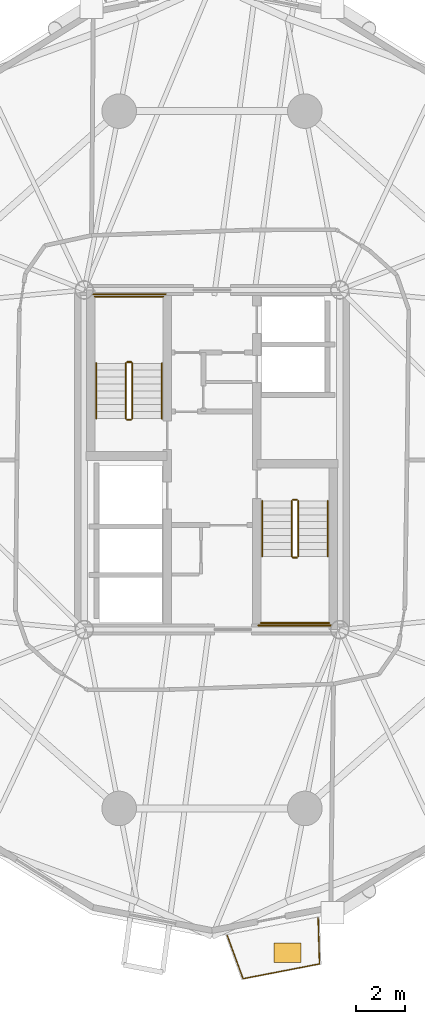
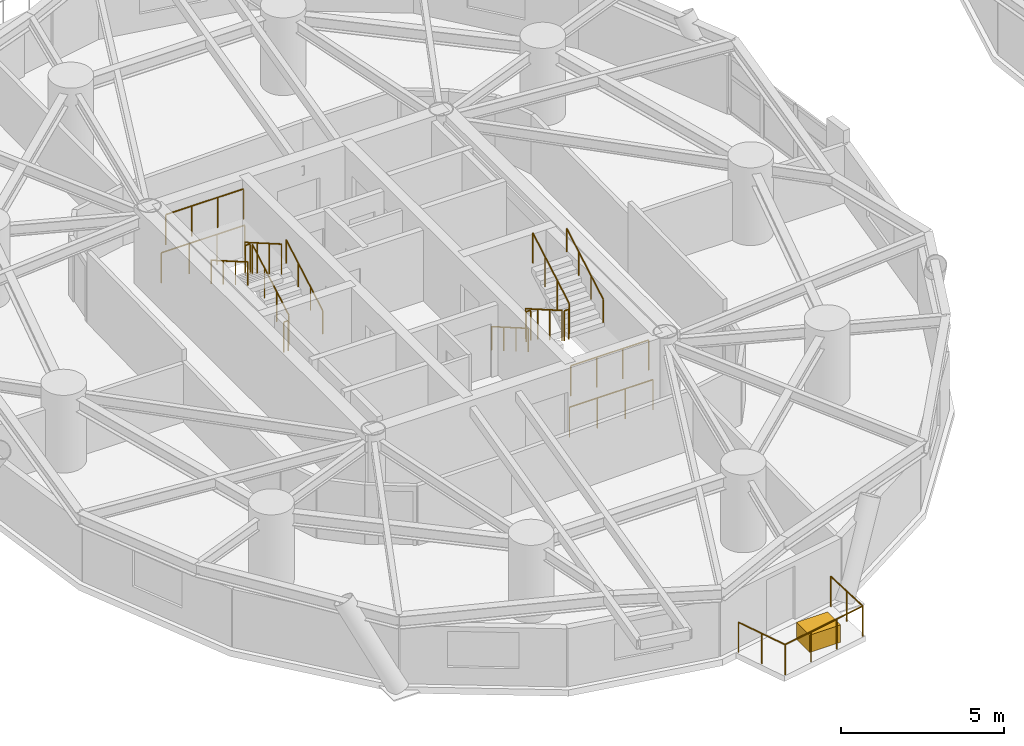
# One storey, part 16 of 18: 17 railings, 1 covering.
"""IFC4 building model written with IfcOpenShell, lengths in metres."""

from ifc_helpers import new_model, si_unit, direction, frame, origin, origin_2d, place, context, subcontext, project, spatial, rectangle, circle, extrude, source, transform, mapped, material, layer, layer_set, type_object, element, save


model = new_model("IFC4")

# Units and contexts
model_context = context("Model", 3, precision=1e-05, world=origin(), true_north=direction((0.0, 1.0)))
body_context = subcontext(model_context, "Body", "Model", "MODEL_VIEW")
ifc_project = project(units=[si_unit("LENGTHUNIT", "METRE"), si_unit("AREAUNIT", "SQUARE_METRE"), si_unit("VOLUMEUNIT", "CUBIC_METRE"), si_unit("PLANEANGLEUNIT", "RADIAN"), si_unit("MASSUNIT", "GRAM", prefix="KILO")], contexts=[model_context])

# Site, building, storey
site_placement = place(None, origin())
site = spatial("IfcSite", under=ifc_project, at=site_placement, CompositionType="ELEMENT")
building_placement = place(site_placement, origin())
building = spatial("IfcBuilding", under=site, at=building_placement, Name="Cununo Teusaquillo Station Towers", CompositionType="ELEMENT")
storey_placement = place(building_placement, frame((0.0, 0.0, 75.969970703125)))
storey = spatial("IfcBuildingStorey", under=building, at=storey_placement, Name="L23", CompositionType="ELEMENT", Elevation=75.969970703125)

# Railings
ifc_material_1 = material(Name="Anodised dark bronze aluminium EN AW-6063-T6", Category="aluminium")
railing_type_1 = type_object("IfcRailingType", Name="RL-EXT-GUARD", PredefinedType="GUARDRAIL", material=ifc_material_1)
railing_1_placement = place(storey_placement, frame((20.79833984375, 5.939453125, 0.0)))
element("IfcRailing", 1, at=railing_1_placement, inside=storey, type_object=railing_type_1, Name="L23 Tower A Balcony Guardrail C15", PredefinedType="GUARDRAIL", context=body_context, shape_type="SweptSolid", body=[
    extrude(circle(Radius=0.02392578125, at=origin_2d()), frame((0.0, 0.0, 1.1259765625), z_axis=(0.030662031384, -0.999529809376, 0.0), x_axis=(0.999529809376, 0.030662031384, 0.0)), (0.0, 0.0, 1.0), 1.86328125),
    extrude(circle(Radius=0.02392578125, at=origin_2d()), frame((0.05712890625, -1.8623046875, 1.1259765625), z_axis=(-0.981834317938, -0.189740275429, 0.0), x_axis=(0.189740275429, -0.981834317938, 0.0)), (0.0, 0.0, 1.0), 3.15380859375),
    extrude(circle(Radius=0.02392578125, at=origin_2d()), frame((-3.039306640625, -2.460693359375, 1.1259765625), z_axis=(-0.343962021681, 0.9389835609, 0.0), x_axis=(-0.9389835609, -0.343962021681, 0.0)), (0.0, 0.0, 1.0), 1.86328125),
    extrude(circle(Radius=0.02099609375, at=origin_2d()), origin(), (0.0, 0.0, 1.0), 1.101806640625),
    extrude(circle(Radius=0.02099609375, at=origin_2d()), frame((0.028564453125, -0.93115234375, 0.0)), (0.0, 0.0, 1.0), 1.101806640625),
    extrude(circle(Radius=0.02099609375, at=origin_2d()), frame((0.05712890625, -1.8623046875, 0.0)), (0.0, 0.0, 1.0), 1.101806640625),
    extrude(circle(Radius=0.02099609375, at=origin_2d()), frame((-0.97509765625, -2.061767578125, 0.0)), (0.0, 0.0, 1.0), 1.101806640625),
    extrude(circle(Radius=0.02099609375, at=origin_2d()), frame((-2.007080078125, -2.26123046875, 0.0)), (0.0, 0.0, 1.0), 1.101806640625),
    extrude(circle(Radius=0.02099609375, at=origin_2d()), frame((-3.039306640625, -2.460693359375, 0.0)), (0.0, 0.0, 1.0), 1.101806640625),
    extrude(circle(Radius=0.02099609375, at=origin_2d()), frame((-3.35986328125, -1.5859375, 0.0)), (0.0, 0.0, 1.0), 1.101806640625),
    extrude(circle(Radius=0.02099609375, at=origin_2d()), frame((-3.68017578125, -0.711181640625, 0.0)), (0.0, 0.0, 1.0), 1.101806640625),
])
ifc_material_2 = material(Name="Steel EN 10025-2 S355J2", Category="steel")
railing_type_2 = type_object("IfcRailingType", Name="RL-INT-GUARD", PredefinedType="GUARDRAIL", material=ifc_material_2)
railing_2_placement = place(storey_placement, frame((13.27001953125, 26.169921875, 0.16162109375)))
element("IfcRailing", 2, at=railing_2_placement, inside=storey, type_object=railing_type_2, Name="L23 ST-T1-1 stair guard 1", PredefinedType="GUARDRAIL", context=body_context, shape_type="SweptSolid", body=[
    extrude(circle(Radius=0.02392578125, at=origin_2d()), frame((0.0, 0.0, 1.1259765625), z_axis=(0.0, 0.865992244559, 0.500057429065), x_axis=(-1.0, 0.0, 0.0)), (0.0, 0.0, 1.0), 2.586669921875),
    extrude(circle(Radius=0.02099609375, at=origin_2d()), origin(), (0.0, 0.0, 1.0), 1.101806640625),
    extrude(circle(Radius=0.02099609375, at=origin_2d()), frame((0.0, 0.74658203125, 0.43115234375)), (0.0, 0.0, 1.0), 1.101806640625),
    extrude(circle(Radius=0.02099609375, at=origin_2d()), frame((0.0, 1.493408203125, 0.8623046875)), (0.0, 0.0, 1.0), 1.101806640625),
    extrude(circle(Radius=0.02099609375, at=origin_2d()), frame((0.0, 2.239990234375, 1.29345703125)), (0.0, 0.0, 1.0), 1.101806640625),
])
railing_3_placement = place(storey_placement, frame((13.219970703125, 28.4599609375, 1.455078125)))
element("IfcRailing", 3, at=railing_3_placement, inside=storey, type_object=railing_type_2, Name="L23 ST-T1-1 stair guard 2", PredefinedType="GUARDRAIL", context=body_context, shape_type="SweptSolid", body=[
    extrude(circle(Radius=0.02392578125, at=origin_2d()), frame((0.0, 0.0, 1.1259765625), z_axis=(-1.0, 0.0, 0.0), x_axis=(0.0, -1.0, 0.0)), (0.0, 0.0, 1.0), 0.159912109375),
    extrude(circle(Radius=0.02099609375, at=origin_2d()), origin(), (0.0, 0.0, 1.0), 1.101806640625),
    extrude(circle(Radius=0.02099609375, at=origin_2d()), frame((-0.159912109375, 0.0, 0.0)), (0.0, 0.0, 1.0), 1.101806640625),
])
railing_4_placement = place(storey_placement, frame((14.52001953125, 31.110107421875, 1.455078125)))
element("IfcRailing", 4, at=railing_4_placement, inside=storey, type_object=railing_type_2, Name="L23 ST-T1-1 stair guard 3", PredefinedType="GUARDRAIL", context=body_context, shape_type="SweptSolid", body=[
    extrude(circle(Radius=0.02392578125, at=origin_2d()), frame((0.0, 0.0, 1.1259765625), z_axis=(-1.0, 0.0, 0.0), x_axis=(0.0, -1.0, 0.0)), (0.0, 0.0, 1.0), 2.760009765625),
    extrude(circle(Radius=0.02099609375, at=origin_2d()), origin(), (0.0, 0.0, 1.0), 1.101806640625),
    extrude(circle(Radius=0.02099609375, at=origin_2d()), frame((-0.919921875, 0.0, 0.0)), (0.0, 0.0, 1.0), 1.101806640625),
    extrude(circle(Radius=0.02099609375, at=origin_2d()), frame((-1.840087890625, 0.0, 0.0)), (0.0, 0.0, 1.0), 1.101806640625),
    extrude(circle(Radius=0.02099609375, at=origin_2d()), frame((-2.760009765625, 0.0, 0.0)), (0.0, 0.0, 1.0), 1.101806640625),
])
railing_5_placement = place(storey_placement, frame((13.010009765625, 28.409912109375, 1.61669921875)))
element("IfcRailing", 5, at=railing_5_placement, inside=storey, type_object=railing_type_2, Name="L23 ST-T1-1 stair guard 4", PredefinedType="GUARDRAIL", context=body_context, shape_type="SweptSolid", body=[
    extrude(circle(Radius=0.02392578125, at=origin_2d()), frame((0.0, 0.0, 1.1259765625), z_axis=(0.0, -0.866033117094, 0.499986639918), x_axis=(1.0, 0.0, 0.0)), (0.0, 0.0, 1.0), 2.58642578125),
    extrude(circle(Radius=0.02099609375, at=origin_2d()), origin(), (0.0, 0.0, 1.0), 1.101806640625),
    extrude(circle(Radius=0.02099609375, at=origin_2d()), frame((0.0, -0.74658203125, 0.43115234375)), (0.0, 0.0, 1.0), 1.101806640625),
    extrude(circle(Radius=0.02099609375, at=origin_2d()), frame((0.0, -1.493408203125, 0.862060546875)), (0.0, 0.0, 1.0), 1.101806640625),
    extrude(circle(Radius=0.02099609375, at=origin_2d()), frame((0.0, -2.239990234375, 1.293212890625)), (0.0, 0.0, 1.0), 1.101806640625),
])
railing_6_placement = place(storey_placement, frame((13.219970703125, 26.1201171875, 0.0)))
element("IfcRailing", 6, at=railing_6_placement, inside=storey, type_object=railing_type_2, Name="L23 ST-T1-1 stair guard 5", PredefinedType="GUARDRAIL", context=body_context, shape_type="SweptSolid", body=[
    extrude(circle(Radius=0.02392578125, at=origin_2d()), frame((0.0, 0.0, 1.1259765625), z_axis=(-1.0, 0.0, 0.0), x_axis=(0.0, -1.0, 0.0)), (0.0, 0.0, 1.0), 0.159912109375),
    extrude(circle(Radius=0.02099609375, at=origin_2d()), origin(), (0.0, 0.0, 1.0), 1.101806640625),
    extrude(circle(Radius=0.02099609375, at=origin_2d()), frame((-0.159912109375, 0.0, 0.0)), (0.0, 0.0, 1.0), 1.101806640625),
])
railing_7_placement = place(storey_placement, frame((14.6201171875, 31.2099609375, 0.0)))
element("IfcRailing", 7, at=railing_7_placement, inside=storey, type_object=railing_type_2, Name="L23 ST-T1-1 stair guard 6", PredefinedType="GUARDRAIL", context=body_context, shape_type="SweptSolid", body=[
    extrude(circle(Radius=0.02392578125, at=origin_2d()), frame((0.0, 0.0, 1.1259765625), z_axis=(-1.0, 0.0, 0.0), x_axis=(0.0, -1.0, 0.0)), (0.0, 0.0, 1.0), 2.960205078125),
    extrude(circle(Radius=0.02099609375, at=origin_2d()), origin(), (0.0, 0.0, 1.0), 1.101806640625),
    extrude(circle(Radius=0.02099609375, at=origin_2d()), frame((-0.98681640625, 0.0, 0.0)), (0.0, 0.0, 1.0), 1.101806640625),
    extrude(circle(Radius=0.02099609375, at=origin_2d()), frame((-1.973388671875, 0.0, 0.0)), (0.0, 0.0, 1.0), 1.101806640625),
    extrude(circle(Radius=0.02099609375, at=origin_2d()), frame((-2.960205078125, 0.0, 0.0)), (0.0, 0.0, 1.0), 1.101806640625),
])
railing_8_placement = place(storey_placement, frame((19.72998046875, 22.830078125, 0.16162109375)))
element("IfcRailing", 8, at=railing_8_placement, inside=storey, type_object=railing_type_2, Name="L23 ST-T1-2 stair guard 1", PredefinedType="GUARDRAIL", context=body_context, shape_type="SweptSolid", body=[
    extrude(circle(Radius=0.02392578125, at=origin_2d()), frame((0.0, 0.0, 1.1259765625), z_axis=(0.0, -0.865992244559, 0.500057429065), x_axis=(1.0, 0.0, 0.0)), (0.0, 0.0, 1.0), 2.586669921875),
    extrude(circle(Radius=0.02099609375, at=origin_2d()), origin(), (0.0, 0.0, 1.0), 1.101806640625),
    extrude(circle(Radius=0.02099609375, at=origin_2d()), frame((0.0, -0.74658203125, 0.43115234375)), (0.0, 0.0, 1.0), 1.101806640625),
    extrude(circle(Radius=0.02099609375, at=origin_2d()), frame((0.0, -1.493408203125, 0.8623046875)), (0.0, 0.0, 1.0), 1.101806640625),
    extrude(circle(Radius=0.02099609375, at=origin_2d()), frame((0.0, -2.239990234375, 1.29345703125)), (0.0, 0.0, 1.0), 1.101806640625),
])
railing_9_placement = place(storey_placement, frame((19.780029296875, 20.5400390625, 1.455078125)))
element("IfcRailing", 9, at=railing_9_placement, inside=storey, type_object=railing_type_2, Name="L23 ST-T1-2 stair guard 2", PredefinedType="GUARDRAIL", context=body_context, shape_type="SweptSolid", body=[
    extrude(circle(Radius=0.02392578125, at=origin_2d()), frame((0.0, 0.0, 1.1259765625), z_axis=(1.0, 0.0, 0.0), x_axis=(0.0, 1.0, 0.0)), (0.0, 0.0, 1.0), 0.159912109375),
    extrude(circle(Radius=0.02099609375, at=origin_2d()), origin(), (0.0, 0.0, 1.0), 1.101806640625),
    extrude(circle(Radius=0.02099609375, at=origin_2d()), frame((0.159912109375, 0.0, 0.0)), (0.0, 0.0, 1.0), 1.101806640625),
])
railing_10_placement = place(storey_placement, frame((18.47998046875, 17.889892578125, 1.455078125)))
element("IfcRailing", 10, at=railing_10_placement, inside=storey, type_object=railing_type_2, Name="L23 ST-T1-2 stair guard 3", PredefinedType="GUARDRAIL", context=body_context, shape_type="SweptSolid", body=[
    extrude(circle(Radius=0.02392578125, at=origin_2d()), frame((0.0, 0.0, 1.1259765625), z_axis=(1.0, 0.0, 0.0), x_axis=(0.0, 1.0, 0.0)), (0.0, 0.0, 1.0), 2.760009765625),
    extrude(circle(Radius=0.02099609375, at=origin_2d()), origin(), (0.0, 0.0, 1.0), 1.101806640625),
    extrude(circle(Radius=0.02099609375, at=origin_2d()), frame((0.919921875, 0.0, 0.0)), (0.0, 0.0, 1.0), 1.101806640625),
    extrude(circle(Radius=0.02099609375, at=origin_2d()), frame((1.840087890625, 0.0, 0.0)), (0.0, 0.0, 1.0), 1.101806640625),
    extrude(circle(Radius=0.02099609375, at=origin_2d()), frame((2.760009765625, 0.0, 0.0)), (0.0, 0.0, 1.0), 1.101806640625),
])
railing_11_placement = place(storey_placement, frame((19.989990234375, 20.590087890625, 1.61669921875)))
element("IfcRailing", 11, at=railing_11_placement, inside=storey, type_object=railing_type_2, Name="L23 ST-T1-2 stair guard 4", PredefinedType="GUARDRAIL", context=body_context, shape_type="SweptSolid", body=[
    extrude(circle(Radius=0.02392578125, at=origin_2d()), frame((0.0, 0.0, 1.1259765625), z_axis=(0.0, 0.866033117094, 0.499986639918), x_axis=(-1.0, 0.0, 0.0)), (0.0, 0.0, 1.0), 2.58642578125),
    extrude(circle(Radius=0.02099609375, at=origin_2d()), origin(), (0.0, 0.0, 1.0), 1.101806640625),
    extrude(circle(Radius=0.02099609375, at=origin_2d()), frame((0.0, 0.74658203125, 0.43115234375)), (0.0, 0.0, 1.0), 1.101806640625),
    extrude(circle(Radius=0.02099609375, at=origin_2d()), frame((0.0, 1.493408203125, 0.862060546875)), (0.0, 0.0, 1.0), 1.101806640625),
    extrude(circle(Radius=0.02099609375, at=origin_2d()), frame((0.0, 2.239990234375, 1.293212890625)), (0.0, 0.0, 1.0), 1.101806640625),
])
railing_12_placement = place(storey_placement, frame((19.780029296875, 22.8798828125, 0.0)))
element("IfcRailing", 12, at=railing_12_placement, inside=storey, type_object=railing_type_2, Name="L23 ST-T1-2 stair guard 5", PredefinedType="GUARDRAIL", context=body_context, shape_type="SweptSolid", body=[
    extrude(circle(Radius=0.02392578125, at=origin_2d()), frame((0.0, 0.0, 1.1259765625), z_axis=(1.0, 0.0, 0.0), x_axis=(0.0, 1.0, 0.0)), (0.0, 0.0, 1.0), 0.159912109375),
    extrude(circle(Radius=0.02099609375, at=origin_2d()), origin(), (0.0, 0.0, 1.0), 1.101806640625),
    extrude(circle(Radius=0.02099609375, at=origin_2d()), frame((0.159912109375, 0.0, 0.0)), (0.0, 0.0, 1.0), 1.101806640625),
])
railing_13_placement = place(storey_placement, frame((18.3798828125, 17.7900390625, 0.0)))
element("IfcRailing", 13, at=railing_13_placement, inside=storey, type_object=railing_type_2, Name="L23 ST-T1-2 stair guard 6", PredefinedType="GUARDRAIL", context=body_context, shape_type="SweptSolid", body=[
    extrude(circle(Radius=0.02392578125, at=origin_2d()), frame((0.0, 0.0, 1.1259765625), z_axis=(1.0, 0.0, 0.0), x_axis=(0.0, 1.0, 0.0)), (0.0, 0.0, 1.0), 2.960205078125),
    extrude(circle(Radius=0.02099609375, at=origin_2d()), origin(), (0.0, 0.0, 1.0), 1.101806640625),
    extrude(circle(Radius=0.02099609375, at=origin_2d()), frame((0.98681640625, 0.0, 0.0)), (0.0, 0.0, 1.0), 1.101806640625),
    extrude(circle(Radius=0.02099609375, at=origin_2d()), frame((1.973388671875, 0.0, 0.0)), (0.0, 0.0, 1.0), 1.101806640625),
    extrude(circle(Radius=0.02099609375, at=origin_2d()), frame((2.960205078125, 0.0, 0.0)), (0.0, 0.0, 1.0), 1.101806640625),
])
ifc_material_3 = material(Name="Steel EN 10025-2 S355J2", Category="steel")
railing_type_3 = type_object("IfcRailingType", Name="RL-INT-HRAIL", PredefinedType="HANDRAIL", material=ifc_material_3)
railing_14_placement = place(storey_placement, frame((14.469970703125, 26.169921875, 0.16162109375)))
element("IfcRailing", 14, at=railing_14_placement, inside=storey, type_object=railing_type_3, Name="L23 ST-T1-1 stair handrail 1", PredefinedType="HANDRAIL", context=body_context, shape_type="SweptSolid", body=[
    extrude(circle(Radius=0.02392578125, at=origin_2d()), frame((0.0, 0.0, 0.8759765625), z_axis=(0.0, 0.865992244559, 0.500057429065), x_axis=(-1.0, 0.0, 0.0)), (0.0, 0.0, 1.0), 2.586669921875),
    extrude(circle(Radius=0.02099609375, at=origin_2d()), origin(), (0.0, 0.0, 1.0), 0.851806640625),
    extrude(circle(Radius=0.02099609375, at=origin_2d()), frame((0.0, 0.74658203125, 0.43115234375)), (0.0, 0.0, 1.0), 0.851806640625),
    extrude(circle(Radius=0.02099609375, at=origin_2d()), frame((0.0, 1.493408203125, 0.8623046875)), (0.0, 0.0, 1.0), 0.851806640625),
    extrude(circle(Radius=0.02099609375, at=origin_2d()), frame((0.0, 2.239990234375, 1.29345703125)), (0.0, 0.0, 1.0), 0.851806640625),
])
railing_15_placement = place(storey_placement, frame((11.81005859375, 28.409912109375, 1.61669921875)))
element("IfcRailing", 15, at=railing_15_placement, inside=storey, type_object=railing_type_3, Name="L23 ST-T1-1 stair handrail 2", PredefinedType="HANDRAIL", context=body_context, shape_type="SweptSolid", body=[
    extrude(circle(Radius=0.02392578125, at=origin_2d()), frame((0.0, 0.0, 0.8759765625), z_axis=(0.0, -0.866033117094, 0.499986639918), x_axis=(1.0, 0.0, 0.0)), (0.0, 0.0, 1.0), 2.58642578125),
    extrude(circle(Radius=0.02099609375, at=origin_2d()), origin(), (0.0, 0.0, 1.0), 0.851806640625),
    extrude(circle(Radius=0.02099609375, at=origin_2d()), frame((0.0, -0.74658203125, 0.43115234375)), (0.0, 0.0, 1.0), 0.851806640625),
    extrude(circle(Radius=0.02099609375, at=origin_2d()), frame((0.0, -1.493408203125, 0.862060546875)), (0.0, 0.0, 1.0), 0.851806640625),
    extrude(circle(Radius=0.02099609375, at=origin_2d()), frame((0.0, -2.239990234375, 1.293212890625)), (0.0, 0.0, 1.0), 0.851806640625),
])
railing_16_placement = place(storey_placement, frame((18.530029296875, 22.830078125, 0.16162109375)))
element("IfcRailing", 16, at=railing_16_placement, inside=storey, type_object=railing_type_3, Name="L23 ST-T1-2 stair handrail 1", PredefinedType="HANDRAIL", context=body_context, shape_type="SweptSolid", body=[
    extrude(circle(Radius=0.02392578125, at=origin_2d()), frame((0.0, 0.0, 0.8759765625), z_axis=(0.0, -0.865992244559, 0.500057429065), x_axis=(1.0, 0.0, 0.0)), (0.0, 0.0, 1.0), 2.586669921875),
    extrude(circle(Radius=0.02099609375, at=origin_2d()), origin(), (0.0, 0.0, 1.0), 0.851806640625),
    extrude(circle(Radius=0.02099609375, at=origin_2d()), frame((0.0, -0.74658203125, 0.43115234375)), (0.0, 0.0, 1.0), 0.851806640625),
    extrude(circle(Radius=0.02099609375, at=origin_2d()), frame((0.0, -1.493408203125, 0.8623046875)), (0.0, 0.0, 1.0), 0.851806640625),
    extrude(circle(Radius=0.02099609375, at=origin_2d()), frame((0.0, -2.239990234375, 1.29345703125)), (0.0, 0.0, 1.0), 0.851806640625),
])
railing_17_placement = place(storey_placement, frame((21.18994140625, 20.590087890625, 1.61669921875)))
element("IfcRailing", 17, at=railing_17_placement, inside=storey, type_object=railing_type_3, Name="L23 ST-T1-2 stair handrail 2", PredefinedType="HANDRAIL", context=body_context, shape_type="SweptSolid", body=[
    extrude(circle(Radius=0.02392578125, at=origin_2d()), frame((0.0, 0.0, 0.8759765625), z_axis=(0.0, 0.866033117094, 0.499986639918), x_axis=(-1.0, 0.0, 0.0)), (0.0, 0.0, 1.0), 2.58642578125),
    extrude(circle(Radius=0.02099609375, at=origin_2d()), origin(), (0.0, 0.0, 1.0), 0.851806640625),
    extrude(circle(Radius=0.02099609375, at=origin_2d()), frame((0.0, 0.74658203125, 0.43115234375)), (0.0, 0.0, 1.0), 0.851806640625),
    extrude(circle(Radius=0.02099609375, at=origin_2d()), frame((0.0, 1.493408203125, 0.862060546875)), (0.0, 0.0, 1.0), 0.851806640625),
    extrude(circle(Radius=0.02099609375, at=origin_2d()), frame((0.0, 2.239990234375, 1.293212890625)), (0.0, 0.0, 1.0), 0.851806640625),
])

# Covering
ifc_material_4 = material(Name="Architectural GRC planter shell and engineered root-zone substrate", Category="concrete")
ifc_layer = layer(ifc_material_4, 0.64990234375)
ifc_layer_set = layer_set([ifc_layer], Name="Architectural GRC planter shell and engineered root-zone substrate")
covering_type = type_object("IfcCoveringType", Name="COV-TREE-PLANTER", PredefinedType="CLADDING", material=ifc_layer_set)
shared_shape = source(origin(), body_context, "Body", "SweptSolid", [
    extrude(rectangle(XDim=1.10009765625, YDim=0.800048828125, at=origin_2d()), origin(), (0.0, 0.0, 1.0), 0.64990234375),
])
covering_placement = place(storey_placement, frame((19.5537109375, 4.531494140625, 0.0), z_axis=(0.0, 0.0, 1.0), x_axis=(1.0, 0.0, 0.0)))
element("IfcCovering", 18, at=covering_placement, inside=storey, type_object=covering_type, Name="L23 Tower A Balcony Tree PLANTER C15", PredefinedType="CLADDING", context=body_context, shape_type="MappedRepresentation", body=[
    mapped(shared_shape, transform((0.0, 0.0, 0.0), x_axis=(1.0, 0.0, 0.0), y_axis=(0.0, 1.0, 0.0), z_axis=(0.0, 0.0, 1.0), scale=1.0)),
])

save(model, "model.ifc")
